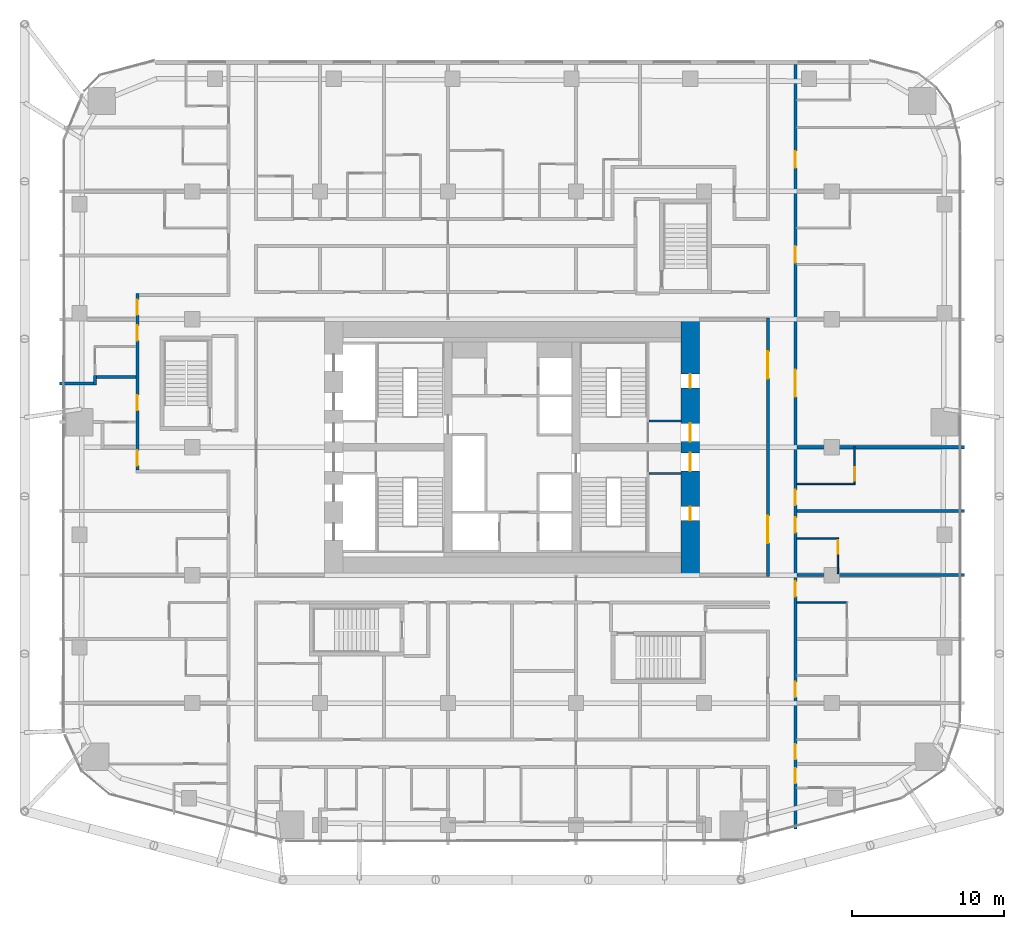
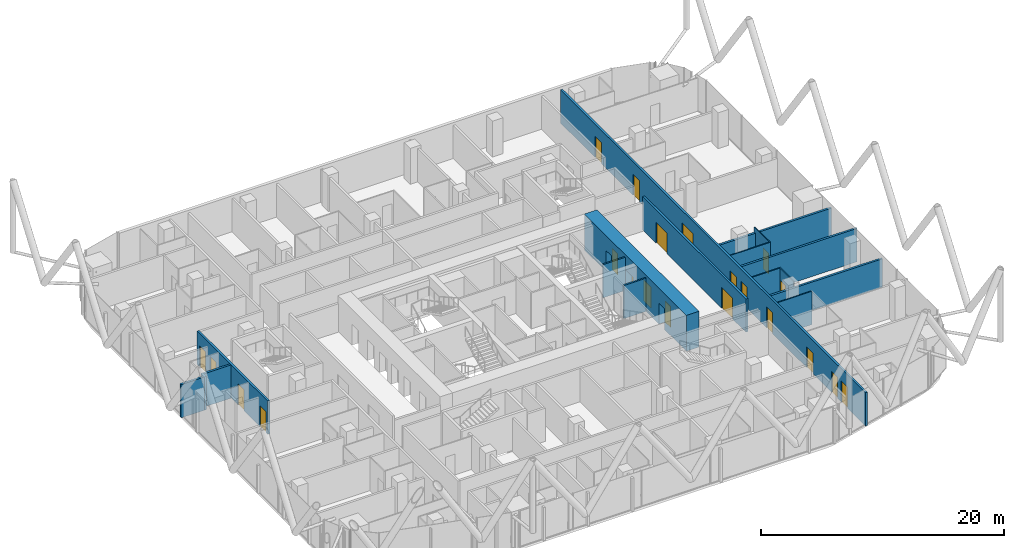
# One storey, part 32 of 38: 21 doors, 17 walls, 21 openings.
"""IFC4 building model written with IfcOpenShell, lengths in metres."""

from ifc_helpers import new_model, si_unit, direction, frame, frame_2d, origin, place, context, subcontext, project, spatial, rectangle, extrude, material, layer, layer_set, type_object, element, fill, save


model = new_model("IFC4")

# Units and contexts
model_context = context("Model", 3, precision=1e-05, world=origin(), true_north=direction((0.0, 1.0)))
body_context = subcontext(model_context, "Body", "Model", "MODEL_VIEW")
ifc_project = project(units=[si_unit("LENGTHUNIT", "METRE"), si_unit("AREAUNIT", "SQUARE_METRE"), si_unit("VOLUMEUNIT", "CUBIC_METRE"), si_unit("PLANEANGLEUNIT", "RADIAN"), si_unit("MASSUNIT", "GRAM", prefix="KILO")], contexts=[model_context])

# Site, building, storey
site_placement = place(None, origin())
site = spatial("IfcSite", under=ifc_project, at=site_placement, CompositionType="ELEMENT")
building_placement = place(site_placement, origin())
building = spatial("IfcBuilding", under=site, at=building_placement, Name="Marenta Gate Hotel Tower", CompositionType="ELEMENT")
storey_placement = place(building_placement, frame((0.0, 0.0, 54.5)))
storey = spatial("IfcBuildingStorey", under=building, at=storey_placement, Name="L11", CompositionType="ELEMENT", Elevation=54.5)

# Wall, openings, doors
ifc_material_1 = material(Name="Concrete blockwork", Category="masonry")
ifc_layer_1 = layer(ifc_material_1, 0.199951171875)
ifc_layer_set_1 = layer_set([ifc_layer_1], Name="Concrete blockwork")
wall_type_1 = type_object("IfcWallType", Name="Core boundary wall 200 REI 180", PredefinedType="PARTITIONING", material=ifc_layer_set_1)
wall_1_placement = place(storey_placement, frame((16.800048828125, -0.10009765625, 0.0), z_axis=(0.0, 0.0, 1.0), x_axis=(0.0, 1.0, 0.0)))
wall_1 = element("IfcWall", 1, at=wall_1_placement, inside=storey, type_object=wall_type_1, Name="L11-CP-BW-E", PredefinedType="PARTITIONING", context=body_context, shape_type="SweptSolid", body=[
    extrude(rectangle(XDim=17.0, YDim=0.199951171875, at=frame_2d((8.5, 0.0))), origin(), (0.0, 0.0, 1.0), 3.340087890625),
])
opening_1_placement = place(wall_1_placement, frame((2.199951171875, 0.0, 0.0)))
opening_1 = element("IfcOpeningElement", 2, at=opening_1_placement, cuts=wall_1, Name="Opening ED-Ea-B", PredefinedType="OPENING", context=body_context, shape_type="SweptSolid", body=[
    extrude(rectangle(XDim=1.800048828125, YDim=2.10009765625, at=frame_2d((0.89990234375, 1.050048828125))), frame((0.0, 0.10009765625, 0.0), z_axis=(0.0, -1.0, 0.0), x_axis=(1.0, 0.0, 0.0)), (0.0, 0.0, 1.0), 0.199951171875),
])
opening_2_placement = place(wall_1_placement, frame((13.0, 0.0, 0.0)))
opening_2 = element("IfcOpeningElement", 3, at=opening_2_placement, cuts=wall_1, Name="Opening ED-Eb-B", PredefinedType="OPENING", context=body_context, shape_type="SweptSolid", body=[
    extrude(rectangle(XDim=1.800048828125, YDim=2.10009765625, at=frame_2d((0.89990234375, 1.050048828125))), frame((0.0, 0.10009765625, 0.0), z_axis=(0.0, -1.0, 0.0), x_axis=(1.0, 0.0, 0.0)), (0.0, 0.0, 1.0), 0.199951171875),
])
ifc_material_2 = material(Name="Steel", Category="steel")
door_type_1 = type_object("IfcDoorType", Name="Core lobby entrance door 1800x2100 EI 60", OperationType="DOUBLE_DOOR_SINGLE_SWING", PredefinedType="DOOR", material=ifc_material_2)
door_1_placement = place(opening_1_placement, origin())
door_1 = element("IfcDoor", 4, at=door_1_placement, inside=storey, type_object=door_type_1, Name="ED-Ea-B", OperationType="DOUBLE_DOOR_SINGLE_SWING", OverallHeight=2.10009765625, OverallWidth=1.800048828125, PredefinedType="DOOR", context=body_context, shape_type="SweptSolid", body=[
    extrude(rectangle(XDim=1.800048828125, YDim=2.10009765625, at=frame_2d((0.89990234375, 1.050048828125))), frame((0.0, 0.02490234375, 0.0), z_axis=(0.0, -1.0, 0.0), x_axis=(1.0, 0.0, 0.0)), (0.0, 0.0, 1.0), 0.050048828125),
])
fill(opening_1, door_1)
door_2_placement = place(opening_2_placement, origin())
door_2 = element("IfcDoor", 5, at=door_2_placement, inside=storey, type_object=door_type_1, Name="ED-Eb-B", OperationType="DOUBLE_DOOR_SINGLE_SWING", OverallHeight=2.10009765625, OverallWidth=1.800048828125, PredefinedType="DOOR", context=body_context, shape_type="SweptSolid", body=[
    extrude(rectangle(XDim=1.800048828125, YDim=2.10009765625, at=frame_2d((0.89990234375, 1.050048828125))), frame((0.0, 0.02490234375, 0.0), z_axis=(0.0, -1.0, 0.0), x_axis=(1.0, 0.0, 0.0)), (0.0, 0.0, 1.0), 0.050048828125),
])
fill(opening_2, door_2)

# Walls
ifc_material_3 = material(Name="Concrete blockwork", Category="masonry")
ifc_layer_2 = layer(ifc_material_3, 0.14990234375)
ifc_layer_set_2 = layer_set([ifc_layer_2], Name="Concrete blockwork")
wall_type_2 = type_object("IfcWallType", Name="Core room partition 150 REI 180", PredefinedType="PARTITIONING", material=ifc_layer_set_2)
for number, where, z_axis, x_axis, name in (
    (6, (9.0, 6.675048828125, 0.0), (0.0, 0.0, 1.0), (1.0, 0.0, 0.0), "L11-CP-SW-ES-2"),
    (7, (9.0, 10.125, 0.0), (0.0, 0.0, 1.0), (1.0, 0.0, 0.0), "L11-CP-SW-EN-2"),
):
    element("IfcWall", number, at=place(storey_placement, frame(where, z_axis=z_axis, x_axis=x_axis)), inside=storey, type_object=wall_type_2, Name=name, PredefinedType="PARTITIONING", context=body_context, shape_type="SweptSolid", body=[
        extrude(rectangle(XDim=2.10009765625, YDim=0.14990234375, at=frame_2d((1.050048828125, 0.0))), origin(), (0.0, 0.0, 1.0), 3.340087890625),
    ])

# Wall, openings, doors
ifc_material_4 = material(Name="Concrete C80", Category="concrete")
ifc_layer_3 = layer(ifc_material_4, 1.199951171875)
ifc_layer_set_3 = layer_set([ifc_layer_3], Name="Concrete C80")
wall_type_3 = type_object("IfcWallType", Name="Core wall 1200 C80", PredefinedType="SHEAR", material=ifc_layer_set_3)
wall_2_placement = place(storey_placement, frame((11.699951171875, 0.0, 0.0), z_axis=(0.0, 0.0, 1.0), x_axis=(0.0, 1.0, 0.0)))
wall_2 = element("IfcWall", 8, at=wall_2_placement, inside=storey, type_object=wall_type_3, Name="L11-CORE-E", PredefinedType="SHEAR", context=body_context, shape_type="SweptSolid", body=[
    extrude(rectangle(XDim=16.800048828125, YDim=1.199951171875, at=frame_2d((8.39990234375, 0.0))), origin(), (0.0, 0.0, 1.0), 3.60009765625),
])
opening_3_placement = place(wall_2_placement, frame((3.60009765625, 0.0, 0.0)))
opening_3 = element("IfcOpeningElement", 9, at=opening_3_placement, cuts=wall_2, Name="Opening RD-ES-1", PredefinedType="OPENING", context=body_context, shape_type="SweptSolid", body=[
    extrude(rectangle(XDim=0.89990234375, YDim=2.10009765625, at=frame_2d((0.449951171875, 1.050048828125))), frame((0.0, 0.60009765625, 0.0), z_axis=(0.0, -1.0, 0.0), x_axis=(1.0, 0.0, 0.0)), (0.0, 0.0, 1.0), 1.199951171875),
])
opening_4_placement = place(wall_2_placement, frame((6.824951171875, 0.0, 0.0)))
opening_4 = element("IfcOpeningElement", 10, at=opening_4_placement, cuts=wall_2, Name="Opening PD-ES", PredefinedType="OPENING", context=body_context, shape_type="SweptSolid", body=[
    extrude(rectangle(XDim=1.199951171875, YDim=2.10009765625, at=frame_2d((0.60009765625, 1.050048828125))), frame((0.0, 0.60009765625, 0.0), z_axis=(0.0, -1.0, 0.0), x_axis=(1.0, 0.0, 0.0)), (0.0, 0.0, 1.0), 1.199951171875),
])
opening_5_placement = place(wall_2_placement, frame((12.300048828125, 0.0, 0.0)))
opening_5 = element("IfcOpeningElement", 11, at=opening_5_placement, cuts=wall_2, Name="Opening RD-EN-1", PredefinedType="OPENING", context=body_context, shape_type="SweptSolid", body=[
    extrude(rectangle(XDim=0.89990234375, YDim=2.10009765625, at=frame_2d((0.449951171875, 1.050048828125))), frame((0.0, 0.60009765625, 0.0), z_axis=(0.0, -1.0, 0.0), x_axis=(1.0, 0.0, 0.0)), (0.0, 0.0, 1.0), 1.199951171875),
])
opening_6_placement = place(wall_2_placement, frame((8.77490234375, 0.0, 0.0)))
opening_6 = element("IfcOpeningElement", 12, at=opening_6_placement, cuts=wall_2, Name="Opening PD-EN", PredefinedType="OPENING", context=body_context, shape_type="SweptSolid", body=[
    extrude(rectangle(XDim=1.199951171875, YDim=2.10009765625, at=frame_2d((0.60009765625, 1.050048828125))), frame((0.0, 0.60009765625, 0.0), z_axis=(0.0, -1.0, 0.0), x_axis=(1.0, 0.0, 0.0)), (0.0, 0.0, 1.0), 1.199951171875),
])
ifc_material_5 = material(Name="Steel", Category="steel")
door_type_2 = type_object("IfcDoorType", Name="Core lobby door 1200x2100 FD60", OperationType="SINGLE_SWING_LEFT", PredefinedType="DOOR", material=ifc_material_5)
door_3_placement = place(opening_4_placement, origin())
door_3 = element("IfcDoor", 13, at=door_3_placement, inside=storey, type_object=door_type_2, Name="PD-ES", OperationType="SINGLE_SWING_LEFT", OverallHeight=2.10009765625, OverallWidth=1.199951171875, PredefinedType="DOOR", context=body_context, shape_type="SweptSolid", body=[
    extrude(rectangle(XDim=1.199951171875, YDim=2.10009765625, at=frame_2d((0.60009765625, 1.050048828125))), frame((0.0, 0.02490234375, 0.0), z_axis=(0.0, -1.0, 0.0), x_axis=(1.0, 0.0, 0.0)), (0.0, 0.0, 1.0), 0.050048828125),
])
fill(opening_4, door_3)
door_4_placement = place(opening_6_placement, origin())
door_4 = element("IfcDoor", 14, at=door_4_placement, inside=storey, type_object=door_type_2, Name="PD-EN", OperationType="SINGLE_SWING_LEFT", OverallHeight=2.10009765625, OverallWidth=1.199951171875, PredefinedType="DOOR", context=body_context, shape_type="SweptSolid", body=[
    extrude(rectangle(XDim=1.199951171875, YDim=2.10009765625, at=frame_2d((0.60009765625, 1.050048828125))), frame((0.0, 0.02490234375, 0.0), z_axis=(0.0, -1.0, 0.0), x_axis=(1.0, 0.0, 0.0)), (0.0, 0.0, 1.0), 0.050048828125),
])
fill(opening_6, door_4)
ifc_material_6 = material(Name="Steel", Category="steel")
door_type_3 = type_object("IfcDoorType", Name="Core service room door 900x2100 FD30S", OperationType="SINGLE_SWING_LEFT", PredefinedType="DOOR", material=ifc_material_6)
door_5_placement = place(opening_3_placement, origin())
door_5 = element("IfcDoor", 15, at=door_5_placement, inside=storey, type_object=door_type_3, Name="RD-ES-1", OperationType="SINGLE_SWING_LEFT", OverallHeight=2.10009765625, OverallWidth=0.89990234375, PredefinedType="DOOR", context=body_context, shape_type="SweptSolid", body=[
    extrude(rectangle(XDim=0.89990234375, YDim=2.10009765625, at=frame_2d((0.449951171875, 1.050048828125))), frame((0.0, 0.02490234375, 0.0), z_axis=(0.0, -1.0, 0.0), x_axis=(1.0, 0.0, 0.0)), (0.0, 0.0, 1.0), 0.050048828125),
])
fill(opening_3, door_5)
door_6_placement = place(opening_5_placement, origin())
door_6 = element("IfcDoor", 16, at=door_6_placement, inside=storey, type_object=door_type_3, Name="RD-EN-1", OperationType="SINGLE_SWING_LEFT", OverallHeight=2.10009765625, OverallWidth=0.89990234375, PredefinedType="DOOR", context=body_context, shape_type="SweptSolid", body=[
    extrude(rectangle(XDim=0.89990234375, YDim=2.10009765625, at=frame_2d((0.449951171875, 1.050048828125))), frame((0.0, 0.02490234375, 0.0), z_axis=(0.0, -1.0, 0.0), x_axis=(1.0, 0.0, 0.0)), (0.0, 0.0, 1.0), 0.050048828125),
])
fill(opening_5, door_6)

ifc_material_7 = material(Name="Gypsum board on steel stud", Category="steel")
ifc_layer_4 = layer(ifc_material_7, 0.199951171875)
ifc_layer_set_4 = layer_set([ifc_layer_4], Name="Gypsum board on steel stud")
wall_type_4 = type_object("IfcWallType", Name="Room corridor wall 200 EI 60", PredefinedType="PARTITIONING", material=ifc_layer_set_4)
wall_3_placement = place(storey_placement, frame((18.60009765625, -16.6650390625, 0.0), z_axis=(0.0, 0.0, 1.0), x_axis=(0.0, 1.0, 0.0)))
wall_3 = element("IfcWall", 17, at=wall_3_placement, inside=storey, type_object=wall_type_4, Name="L11-PTN-W009", PredefinedType="PARTITIONING", context=body_context, shape_type="SweptSolid", body=[
    extrude(rectangle(XDim=50.205078125, YDim=0.199951171875, at=frame_2d((25.1025390625, 0.0))), origin(), (0.0, 0.0, 1.0), 3.340087890625),
])
opening_7_placement = place(wall_3_placement, frame((2.990966796875, 0.0, 0.0)))
opening_7 = element("IfcOpeningElement", 18, at=opening_7_placement, cuts=wall_3, Name="Opening G04-10", PredefinedType="OPENING", context=body_context, shape_type="SweptSolid", body=[
    extrude(rectangle(XDim=1.0, YDim=2.10009765625, at=frame_2d((0.5, 1.050048828125))), frame((0.0, 0.10009765625, 0.0), z_axis=(0.0, -1.0, 0.0), x_axis=(1.0, 0.0, 0.0)), (0.0, 0.0, 1.0), 0.199951171875),
])
opening_8_placement = place(wall_3_placement, frame((4.573974609375, 0.0, 0.0)))
opening_8 = element("IfcOpeningElement", 19, at=opening_8_placement, cuts=wall_3, Name="Opening G04-12", PredefinedType="OPENING", context=body_context, shape_type="SweptSolid", body=[
    extrude(rectangle(XDim=1.0, YDim=2.10009765625, at=frame_2d((0.5, 1.050048828125))), frame((0.0, 0.10009765625, 0.0), z_axis=(0.0, -1.0, 0.0), x_axis=(1.0, 0.0, 0.0)), (0.0, 0.0, 1.0), 0.199951171875),
])
opening_9_placement = place(wall_3_placement, frame((8.6650390625, 0.0, 0.0)))
opening_9 = element("IfcOpeningElement", 20, at=opening_9_placement, cuts=wall_3, Name="Opening G04-14", PredefinedType="OPENING", context=body_context, shape_type="SweptSolid", body=[
    extrude(rectangle(XDim=1.0, YDim=2.10009765625, at=frame_2d((0.5, 1.050048828125))), frame((0.0, 0.10009765625, 0.0), z_axis=(0.0, -1.0, 0.0), x_axis=(1.0, 0.0, 0.0)), (0.0, 0.0, 1.0), 0.199951171875),
])
opening_10_placement = place(wall_3_placement, frame((15.264892578125, 0.0, 0.0)))
opening_10 = element("IfcOpeningElement", 21, at=opening_10_placement, cuts=wall_3, Name="Opening G04-16", PredefinedType="OPENING", context=body_context, shape_type="SweptSolid", body=[
    extrude(rectangle(XDim=1.0, YDim=2.10009765625, at=frame_2d((0.5, 1.050048828125))), frame((0.0, 0.10009765625, 0.0), z_axis=(0.0, -1.0, 0.0), x_axis=(1.0, 0.0, 0.0)), (0.0, 0.0, 1.0), 0.199951171875),
])
opening_11_placement = place(wall_3_placement, frame((19.465087890625, 0.0, 0.0)))
opening_11 = element("IfcOpeningElement", 22, at=opening_11_placement, cuts=wall_3, Name="Opening G04-18", PredefinedType="OPENING", context=body_context, shape_type="SweptSolid", body=[
    extrude(rectangle(XDim=1.0, YDim=2.10009765625, at=frame_2d((0.5, 1.050048828125))), frame((0.0, 0.10009765625, 0.0), z_axis=(0.0, -1.0, 0.0), x_axis=(1.0, 0.0, 0.0)), (0.0, 0.0, 1.0), 0.199951171875),
])
opening_12_placement = place(wall_3_placement, frame((21.264892578125, 0.0, 0.0)))
opening_12 = element("IfcOpeningElement", 23, at=opening_12_placement, cuts=wall_3, Name="Opening G04-20", PredefinedType="OPENING", context=body_context, shape_type="SweptSolid", body=[
    extrude(rectangle(XDim=1.0, YDim=2.10009765625, at=frame_2d((0.5, 1.050048828125))), frame((0.0, 0.10009765625, 0.0), z_axis=(0.0, -1.0, 0.0), x_axis=(1.0, 0.0, 0.0)), (0.0, 0.0, 1.0), 0.199951171875),
])
opening_13_placement = place(wall_3_placement, frame((28.364990234375, 0.0, 0.0)))
opening_13 = element("IfcOpeningElement", 24, at=opening_13_placement, cuts=wall_3, Name="Opening G04-22", PredefinedType="OPENING", context=body_context, shape_type="SweptSolid", body=[
    extrude(rectangle(XDim=1.800048828125, YDim=2.10009765625, at=frame_2d((0.89990234375, 1.050048828125))), frame((0.0, 0.10009765625, 0.0), z_axis=(0.0, -1.0, 0.0), x_axis=(1.0, 0.0, 0.0)), (0.0, 0.0, 1.0), 0.199951171875),
])
opening_14_placement = place(wall_3_placement, frame((37.1650390625, 0.0, 0.0)))
opening_14 = element("IfcOpeningElement", 25, at=opening_14_placement, cuts=wall_3, Name="Opening G04-23", PredefinedType="OPENING", context=body_context, shape_type="SweptSolid", body=[
    extrude(rectangle(XDim=1.10009765625, YDim=2.10009765625, at=frame_2d((0.550048828125, 1.050048828125))), frame((0.0, 0.10009765625, 0.0), z_axis=(0.0, -1.0, 0.0), x_axis=(1.0, 0.0, 0.0)), (0.0, 0.0, 1.0), 0.199951171875),
])
opening_15_placement = place(wall_3_placement, frame((43.4150390625, 0.0, 0.0)))
opening_15 = element("IfcOpeningElement", 26, at=opening_15_placement, cuts=wall_3, Name="Opening G04-26", PredefinedType="OPENING", context=body_context, shape_type="SweptSolid", body=[
    extrude(rectangle(XDim=1.10009765625, YDim=2.10009765625, at=frame_2d((0.550048828125, 1.050048828125))), frame((0.0, 0.10009765625, 0.0), z_axis=(0.0, -1.0, 0.0), x_axis=(1.0, 0.0, 0.0)), (0.0, 0.0, 1.0), 0.199951171875),
])
ifc_material_8 = material(Name="Timber door leaf", Category="wood")
door_type_4 = type_object("IfcDoorType", Name="Guest room door 1000x2100 EI 30", OperationType="NOTDEFINED", PredefinedType="DOOR", material=ifc_material_8)
door_7_placement = place(opening_7_placement, origin())
door_7 = element("IfcDoor", 27, at=door_7_placement, inside=storey, type_object=door_type_4, Name="L11-PD-D010", OperationType="SINGLE_SWING_RIGHT", OverallHeight=2.10009765625, OverallWidth=1.0, PredefinedType="DOOR", context=body_context, shape_type="SweptSolid", body=[
    extrude(rectangle(XDim=1.0, YDim=2.10009765625, at=frame_2d((0.5, 1.050048828125))), frame((0.0, 0.02490234375, 0.0), z_axis=(0.0, -1.0, 0.0), x_axis=(1.0, 0.0, 0.0)), (0.0, 0.0, 1.0), 0.050048828125),
])
fill(opening_7, door_7)
door_8_placement = place(opening_8_placement, origin())
door_8 = element("IfcDoor", 28, at=door_8_placement, inside=storey, type_object=door_type_4, Name="L11-PD-D012", OperationType="SINGLE_SWING_RIGHT", OverallHeight=2.10009765625, OverallWidth=1.0, PredefinedType="DOOR", context=body_context, shape_type="SweptSolid", body=[
    extrude(rectangle(XDim=1.0, YDim=2.10009765625, at=frame_2d((0.5, 1.050048828125))), frame((0.0, 0.02490234375, 0.0), z_axis=(0.0, -1.0, 0.0), x_axis=(1.0, 0.0, 0.0)), (0.0, 0.0, 1.0), 0.050048828125),
])
fill(opening_8, door_8)
door_9_placement = place(opening_9_placement, origin())
door_9 = element("IfcDoor", 29, at=door_9_placement, inside=storey, type_object=door_type_4, Name="L11-PD-D014", OperationType="SINGLE_SWING_RIGHT", OverallHeight=2.10009765625, OverallWidth=1.0, PredefinedType="DOOR", context=body_context, shape_type="SweptSolid", body=[
    extrude(rectangle(XDim=1.0, YDim=2.10009765625, at=frame_2d((0.5, 1.050048828125))), frame((0.0, 0.02490234375, 0.0), z_axis=(0.0, -1.0, 0.0), x_axis=(1.0, 0.0, 0.0)), (0.0, 0.0, 1.0), 0.050048828125),
])
fill(opening_9, door_9)
door_10_placement = place(opening_10_placement, origin())
door_10 = element("IfcDoor", 30, at=door_10_placement, inside=storey, type_object=door_type_4, Name="L11-PD-D016", OperationType="SINGLE_SWING_RIGHT", OverallHeight=2.10009765625, OverallWidth=1.0, PredefinedType="DOOR", context=body_context, shape_type="SweptSolid", body=[
    extrude(rectangle(XDim=1.0, YDim=2.10009765625, at=frame_2d((0.5, 1.050048828125))), frame((0.0, 0.02490234375, 0.0), z_axis=(0.0, -1.0, 0.0), x_axis=(1.0, 0.0, 0.0)), (0.0, 0.0, 1.0), 0.050048828125),
])
fill(opening_10, door_10)
door_11_placement = place(opening_11_placement, origin())
door_11 = element("IfcDoor", 31, at=door_11_placement, inside=storey, type_object=door_type_4, Name="L11-PD-D018", OperationType="SINGLE_SWING_RIGHT", OverallHeight=2.10009765625, OverallWidth=1.0, PredefinedType="DOOR", context=body_context, shape_type="SweptSolid", body=[
    extrude(rectangle(XDim=1.0, YDim=2.10009765625, at=frame_2d((0.5, 1.050048828125))), frame((0.0, 0.02490234375, 0.0), z_axis=(0.0, -1.0, 0.0), x_axis=(1.0, 0.0, 0.0)), (0.0, 0.0, 1.0), 0.050048828125),
])
fill(opening_11, door_11)
door_12_placement = place(opening_12_placement, origin())
door_12 = element("IfcDoor", 32, at=door_12_placement, inside=storey, type_object=door_type_4, Name="L11-PD-D020", OperationType="SINGLE_SWING_RIGHT", OverallHeight=2.10009765625, OverallWidth=1.0, PredefinedType="DOOR", context=body_context, shape_type="SweptSolid", body=[
    extrude(rectangle(XDim=1.0, YDim=2.10009765625, at=frame_2d((0.5, 1.050048828125))), frame((0.0, 0.02490234375, 0.0), z_axis=(0.0, -1.0, 0.0), x_axis=(1.0, 0.0, 0.0)), (0.0, 0.0, 1.0), 0.050048828125),
])
fill(opening_12, door_12)
ifc_material_9 = material(Name="Timber door leaf", Category="wood")
door_type_5 = type_object("IfcDoorType", Name="Guest room door 1100x2100 EI 30", OperationType="NOTDEFINED", PredefinedType="DOOR", material=ifc_material_9)
door_13_placement = place(opening_14_placement, origin())
door_13 = element("IfcDoor", 33, at=door_13_placement, inside=storey, type_object=door_type_5, Name="L11-PD-D023", OperationType="SINGLE_SWING_RIGHT", OverallHeight=2.10009765625, OverallWidth=1.10009765625, PredefinedType="DOOR", context=body_context, shape_type="SweptSolid", body=[
    extrude(rectangle(XDim=1.10009765625, YDim=2.10009765625, at=frame_2d((0.550048828125, 1.050048828125))), frame((0.0, 0.02490234375, 0.0), z_axis=(0.0, -1.0, 0.0), x_axis=(1.0, 0.0, 0.0)), (0.0, 0.0, 1.0), 0.050048828125),
])
fill(opening_14, door_13)
door_14_placement = place(opening_15_placement, origin())
door_14 = element("IfcDoor", 34, at=door_14_placement, inside=storey, type_object=door_type_5, Name="L11-PD-D026", OperationType="SINGLE_SWING_RIGHT", OverallHeight=2.10009765625, OverallWidth=1.10009765625, PredefinedType="DOOR", context=body_context, shape_type="SweptSolid", body=[
    extrude(rectangle(XDim=1.10009765625, YDim=2.10009765625, at=frame_2d((0.550048828125, 1.050048828125))), frame((0.0, 0.02490234375, 0.0), z_axis=(0.0, -1.0, 0.0), x_axis=(1.0, 0.0, 0.0)), (0.0, 0.0, 1.0), 0.050048828125),
])
fill(opening_15, door_14)
ifc_material_10 = material(Name="Timber door leaf", Category="wood")
door_type_6 = type_object("IfcDoorType", Name="Room amenity door 1800x2100 EI 30", OperationType="DOUBLE_DOOR_SINGLE_SWING", PredefinedType="DOOR", material=ifc_material_10)
door_15_placement = place(opening_13_placement, origin())
door_15 = element("IfcDoor", 35, at=door_15_placement, inside=storey, type_object=door_type_6, Name="L11-PD-D022", OperationType="DOUBLE_DOOR_SINGLE_SWING", OverallHeight=2.10009765625, OverallWidth=1.800048828125, PredefinedType="DOOR", context=body_context, shape_type="SweptSolid", body=[
    extrude(rectangle(XDim=1.800048828125, YDim=2.10009765625, at=frame_2d((0.89990234375, 1.050048828125))), frame((0.0, 0.02490234375, 0.0), z_axis=(0.0, -1.0, 0.0), x_axis=(1.0, 0.0, 0.0)), (0.0, 0.0, 1.0), 0.050048828125),
])
fill(opening_13, door_15)

wall_4_placement = place(storey_placement, frame((-24.60009765625, 6.89990234375, 0.0), z_axis=(0.0, 0.0, 1.0), x_axis=(0.0, 1.0, 0.0)))
wall_4 = element("IfcWall", 36, at=wall_4_placement, inside=storey, type_object=wall_type_4, Name="L11-PTN-W137", PredefinedType="PARTITIONING", context=body_context, shape_type="SweptSolid", body=[
    extrude(rectangle(XDim=11.60009765625, YDim=0.199951171875, at=frame_2d((5.800048828125, 0.0))), origin(), (0.0, 0.0, 1.0), 3.340087890625),
])
opening_16_placement = place(wall_4_placement, frame((8.5, 0.0, 0.0)))
opening_16 = element("IfcOpeningElement", 37, at=opening_16_placement, cuts=wall_4, Name="Opening G04-59", PredefinedType="OPENING", context=body_context, shape_type="SweptSolid", body=[
    extrude(rectangle(XDim=1.0, YDim=2.10009765625, at=frame_2d((0.5, 1.050048828125))), frame((0.0, 0.10009765625, 0.0), z_axis=(0.0, -1.0, 0.0), x_axis=(1.0, 0.0, 0.0)), (0.0, 0.0, 1.0), 0.199951171875),
])
opening_17_placement = place(wall_4_placement, frame((10.199951171875, 0.0, 0.0)))
opening_17 = element("IfcOpeningElement", 38, at=opening_17_placement, cuts=wall_4, Name="Opening G04-73", PredefinedType="OPENING", context=body_context, shape_type="SweptSolid", body=[
    extrude(rectangle(XDim=1.0, YDim=2.10009765625, at=frame_2d((0.5, 1.050048828125))), frame((0.0, 0.10009765625, 0.0), z_axis=(0.0, -1.0, 0.0), x_axis=(1.0, 0.0, 0.0)), (0.0, 0.0, 1.0), 0.199951171875),
])
opening_18_placement = place(wall_4_placement, frame((0.300048828125, 0.0, 0.0)))
opening_18 = element("IfcOpeningElement", 39, at=opening_18_placement, cuts=wall_4, Name="Opening G04-74", PredefinedType="OPENING", context=body_context, shape_type="SweptSolid", body=[
    extrude(rectangle(XDim=1.0, YDim=2.10009765625, at=frame_2d((0.5, 1.050048828125))), frame((0.0, 0.10009765625, 0.0), z_axis=(0.0, -1.0, 0.0), x_axis=(1.0, 0.0, 0.0)), (0.0, 0.0, 1.0), 0.199951171875),
])
opening_19_placement = place(wall_4_placement, frame((3.925048828125, 0.0, 0.0)))
opening_19 = element("IfcOpeningElement", 40, at=opening_19_placement, cuts=wall_4, Name="Opening G04-86", PredefinedType="OPENING", context=body_context, shape_type="SweptSolid", body=[
    extrude(rectangle(XDim=1.0, YDim=2.10009765625, at=frame_2d((0.5, 1.050048828125))), frame((0.0, 0.10009765625, 0.0), z_axis=(0.0, -1.0, 0.0), x_axis=(1.0, 0.0, 0.0)), (0.0, 0.0, 1.0), 0.199951171875),
])
door_16_placement = place(opening_16_placement, origin())
door_16 = element("IfcDoor", 41, at=door_16_placement, inside=storey, type_object=door_type_4, Name="L11-PD-D059", OperationType="SINGLE_SWING_RIGHT", OverallHeight=2.10009765625, OverallWidth=1.0, PredefinedType="DOOR", context=body_context, shape_type="SweptSolid", body=[
    extrude(rectangle(XDim=1.0, YDim=2.10009765625, at=frame_2d((0.5, 1.050048828125))), frame((0.0, 0.02490234375, 0.0), z_axis=(0.0, -1.0, 0.0), x_axis=(1.0, 0.0, 0.0)), (0.0, 0.0, 1.0), 0.050048828125),
])
fill(opening_16, door_16)
door_17_placement = place(opening_19_placement, origin())
door_17 = element("IfcDoor", 42, at=door_17_placement, inside=storey, type_object=door_type_4, Name="L11-PD-D086", OperationType="SINGLE_SWING_LEFT", OverallHeight=2.10009765625, OverallWidth=1.0, PredefinedType="DOOR", context=body_context, shape_type="SweptSolid", body=[
    extrude(rectangle(XDim=1.0, YDim=2.10009765625, at=frame_2d((0.5, 1.050048828125))), frame((0.0, 0.02490234375, 0.0), z_axis=(0.0, -1.0, 0.0), x_axis=(1.0, 0.0, 0.0)), (0.0, 0.0, 1.0), 0.050048828125),
])
fill(opening_19, door_17)
ifc_material_11 = material(Name="Timber door leaf", Category="wood")
door_type_7 = type_object("IfcDoorType", Name="Room amenity door 1000x2100 EI 30", OperationType="NOTDEFINED", PredefinedType="DOOR", material=ifc_material_11)
door_18_placement = place(opening_17_placement, origin())
door_18 = element("IfcDoor", 43, at=door_18_placement, inside=storey, type_object=door_type_7, Name="L11-PD-D073", OperationType="SINGLE_SWING_LEFT", OverallHeight=2.10009765625, OverallWidth=1.0, PredefinedType="DOOR", context=body_context, shape_type="SweptSolid", body=[
    extrude(rectangle(XDim=1.0, YDim=2.10009765625, at=frame_2d((0.5, 1.050048828125))), frame((0.0, 0.02490234375, 0.0), z_axis=(0.0, -1.0, 0.0), x_axis=(1.0, 0.0, 0.0)), (0.0, 0.0, 1.0), 0.050048828125),
])
fill(opening_17, door_18)
door_19_placement = place(opening_18_placement, origin())
door_19 = element("IfcDoor", 44, at=door_19_placement, inside=storey, type_object=door_type_7, Name="L11-PD-D074", OperationType="SINGLE_SWING_LEFT", OverallHeight=2.10009765625, OverallWidth=1.0, PredefinedType="DOOR", context=body_context, shape_type="SweptSolid", body=[
    extrude(rectangle(XDim=1.0, YDim=2.10009765625, at=frame_2d((0.5, 1.050048828125))), frame((0.0, 0.02490234375, 0.0), z_axis=(0.0, -1.0, 0.0), x_axis=(1.0, 0.0, 0.0)), (0.0, 0.0, 1.0), 0.050048828125),
])
fill(opening_18, door_19)

# Wall, opening, door
ifc_material_12 = material(Name="Gypsum board on steel stud", Category="steel")
ifc_layer_5 = layer(ifc_material_12, 0.10009765625)
ifc_layer_set_5 = layer_set([ifc_layer_5], Name="Gypsum board on steel stud")
wall_type_5 = type_object("IfcWallType", Name="Room partition 100", PredefinedType="PARTITIONING", material=ifc_layer_set_5)
wall_5_placement = place(storey_placement, frame((22.5, 6.050048828125, 0.0), z_axis=(0.0, 0.0, 1.0), x_axis=(0.0, 1.0, 0.0)))
wall_5 = element("IfcWall", 45, at=wall_5_placement, inside=storey, type_object=wall_type_5, Name="L11-PTN-W004", PredefinedType="PARTITIONING", context=body_context, shape_type="SweptSolid", body=[
    extrude(rectangle(XDim=2.449951171875, YDim=0.10009765625, at=frame_2d((1.22509765625, 0.0))), origin(), (0.0, 0.0, 1.0), 3.340087890625),
])
opening_20_placement = place(wall_5_placement, frame((0.14990234375, 0.0, 0.0)))
opening_20 = element("IfcOpeningElement", 46, at=opening_20_placement, cuts=wall_5, Name="Opening G04-21", PredefinedType="OPENING", context=body_context, shape_type="SweptSolid", body=[
    extrude(rectangle(XDim=0.89990234375, YDim=2.10009765625, at=frame_2d((0.449951171875, 1.050048828125))), frame((0.0, 0.050048828125, 0.0), z_axis=(0.0, -1.0, 0.0), x_axis=(1.0, 0.0, 0.0)), (0.0, 0.0, 1.0), 0.10009765625),
])
ifc_material_13 = material(Name="Timber door leaf", Category="wood")
door_type_8 = type_object("IfcDoorType", Name="Guest bathroom door 900x2100", OperationType="NOTDEFINED", PredefinedType="DOOR", material=ifc_material_13)
door_20_placement = place(opening_20_placement, origin())
door_20 = element("IfcDoor", 47, at=door_20_placement, inside=storey, type_object=door_type_8, Name="L11-PD-D021", OperationType="SINGLE_SWING_LEFT", OverallHeight=2.10009765625, OverallWidth=0.89990234375, PredefinedType="DOOR", context=body_context, shape_type="SweptSolid", body=[
    extrude(rectangle(XDim=0.89990234375, YDim=2.10009765625, at=frame_2d((0.449951171875, 1.050048828125))), frame((0.0, 0.02490234375, 0.0), z_axis=(0.0, -1.0, 0.0), x_axis=(1.0, 0.0, 0.0)), (0.0, 0.0, 1.0), 0.050048828125),
])
fill(opening_20, door_20)

wall_6_placement = place(storey_placement, frame((21.39990234375, 0.10009765625, 0.0), z_axis=(0.0, 0.0, 1.0), x_axis=(0.0, 1.0, 0.0)))
wall_6 = element("IfcWall", 48, at=wall_6_placement, inside=storey, type_object=wall_type_5, Name="L11-PTN-W008", PredefinedType="PARTITIONING", context=body_context, shape_type="SweptSolid", body=[
    extrude(rectangle(XDim=2.349853515625, YDim=0.10009765625, at=frame_2d((1.1748046875, 0.0))), origin(), (0.0, 0.0, 1.0), 3.340087890625),
])
opening_21_placement = place(wall_6_placement, frame((1.300048828125, 0.0, 0.0)))
opening_21 = element("IfcOpeningElement", 49, at=opening_21_placement, cuts=wall_6, Name="Opening G04-19", PredefinedType="OPENING", context=body_context, shape_type="SweptSolid", body=[
    extrude(rectangle(XDim=0.89990234375, YDim=2.10009765625, at=frame_2d((0.449951171875, 1.050048828125))), frame((0.0, 0.050048828125, 0.0), z_axis=(0.0, -1.0, 0.0), x_axis=(1.0, 0.0, 0.0)), (0.0, 0.0, 1.0), 0.10009765625),
])
door_21_placement = place(opening_21_placement, origin())
door_21 = element("IfcDoor", 50, at=door_21_placement, inside=storey, type_object=door_type_8, Name="L11-PD-D019", OperationType="SINGLE_SWING_RIGHT", OverallHeight=2.10009765625, OverallWidth=0.89990234375, PredefinedType="DOOR", context=body_context, shape_type="SweptSolid", body=[
    extrude(rectangle(XDim=0.89990234375, YDim=2.10009765625, at=frame_2d((0.449951171875, 1.050048828125))), frame((0.0, 0.02490234375, 0.0), z_axis=(0.0, -1.0, 0.0), x_axis=(1.0, 0.0, 0.0)), (0.0, 0.0, 1.0), 0.050048828125),
])
fill(opening_21, door_21)

# Walls
wall_7_placement = place(storey_placement, frame((18.699951171875, -1.800048828125, 0.0), z_axis=(0.0, 0.0, 1.0), x_axis=(1.0, 0.0, 0.0)))
element("IfcWall", 51, at=wall_7_placement, inside=storey, type_object=wall_type_5, Name="L11-PTN-W062", PredefinedType="PARTITIONING", context=body_context, shape_type="SweptSolid", body=[
    extrude(rectangle(XDim=3.25, YDim=0.10009765625, at=frame_2d((1.625, 0.0))), origin(), (0.0, 0.0, 1.0), 3.340087890625),
])
wall_8_placement = place(storey_placement, frame((18.699951171875, 2.39990234375, 0.0), z_axis=(0.0, 0.0, 1.0), x_axis=(1.0, 0.0, 0.0)))
element("IfcWall", 52, at=wall_8_placement, inside=storey, type_object=wall_type_5, Name="L11-PTN-W074", PredefinedType="PARTITIONING", context=body_context, shape_type="SweptSolid", body=[
    extrude(rectangle(XDim=2.650146484375, YDim=0.10009765625, at=frame_2d((1.3251953125, 0.0))), origin(), (0.0, 0.0, 1.0), 3.340087890625),
])
wall_9_placement = place(storey_placement, frame((18.699951171875, 6.0, 0.0), z_axis=(0.0, 0.0, 1.0), x_axis=(1.0, 0.0, 0.0)))
element("IfcWall", 53, at=wall_9_placement, inside=storey, type_object=wall_type_5, Name="L11-PTN-W083", PredefinedType="PARTITIONING", context=body_context, shape_type="SweptSolid", body=[
    extrude(rectangle(XDim=3.85009765625, YDim=0.10009765625, at=frame_2d((1.925048828125, 0.0))), origin(), (0.0, 0.0, 1.0), 3.340087890625),
])
ifc_material_14 = material(Name="Gypsum board on steel stud", Category="steel")
ifc_layer_6 = layer(ifc_material_14, 0.199951171875)
ifc_layer_set_6 = layer_set([ifc_layer_6], Name="Gypsum board on steel stud")
wall_type_6 = type_object("IfcWallType", Name="Room party wall 200 EI 60", PredefinedType="PARTITIONING", material=ifc_layer_set_6)
wall_10_placement = place(storey_placement, frame((18.699951171875, 0.0, 0.0), z_axis=(0.0, 0.0, 1.0), x_axis=(1.0, 0.0, 0.0)))
element("IfcWall", 54, at=wall_10_placement, inside=storey, type_object=wall_type_6, Name="L11-PTN-W070", PredefinedType="PARTITIONING", context=body_context, shape_type="SweptSolid", body=[
    extrude(rectangle(XDim=11.0, YDim=0.199951171875, at=frame_2d((5.5, 0.0))), origin(), (0.0, 0.0, 1.0), 2.840087890625),
])
wall_11_placement = place(storey_placement, frame((18.699951171875, 4.199951171875, 0.0), z_axis=(0.0, 0.0, 1.0), x_axis=(1.0, 0.0, 0.0)))
element("IfcWall", 55, at=wall_11_placement, inside=storey, type_object=wall_type_6, Name="L11-PTN-W080", PredefinedType="PARTITIONING", context=body_context, shape_type="SweptSolid", body=[
    extrude(rectangle(XDim=11.0, YDim=0.199951171875, at=frame_2d((5.5, 0.0))), origin(), (0.0, 0.0, 1.0), 3.340087890625),
])
wall_12_placement = place(storey_placement, frame((18.699951171875, 8.39990234375, 0.0), z_axis=(0.0, 0.0, 1.0), x_axis=(1.0, 0.0, 0.0)))
element("IfcWall", 56, at=wall_12_placement, inside=storey, type_object=wall_type_6, Name="L11-PTN-W091", PredefinedType="PARTITIONING", context=body_context, shape_type="SweptSolid", body=[
    extrude(rectangle(XDim=11.0, YDim=0.199951171875, at=frame_2d((5.5, 0.0))), origin(), (0.0, 0.0, 1.0), 2.840087890625),
])
wall_13_placement = place(storey_placement, frame((-29.699951171875, 12.60009765625, 0.0), z_axis=(0.0, 0.0, 1.0), x_axis=(1.0, 0.0, 0.0)))
element("IfcWall", 57, at=wall_13_placement, inside=storey, type_object=wall_type_6, Name="L11-PTN-W102", PredefinedType="PARTITIONING", context=body_context, shape_type="SweptSolid", body=[
    extrude(rectangle(XDim=2.224853515625, YDim=0.199951171875, at=frame_2d((1.1123046875, 0.0))), origin(), (0.0, 0.0, 1.0), 3.340087890625),
])
wall_14_placement = place(storey_placement, frame((-27.27490234375, 13.0, 0.0), z_axis=(0.0, 0.0, 1.0), x_axis=(1.0, 0.0, 0.0)))
element("IfcWall", 58, at=wall_14_placement, inside=storey, type_object=wall_type_6, Name="L11-PTN-W103", PredefinedType="PARTITIONING", context=body_context, shape_type="SweptSolid", body=[
    extrude(rectangle(XDim=2.574951171875, YDim=0.199951171875, at=frame_2d((1.28759765625, 0.0))), origin(), (0.0, 0.0, 1.0), 3.340087890625),
])
wall_15_placement = place(storey_placement, frame((-27.375, 12.5, 0.0), z_axis=(0.0, 0.0, 1.0), x_axis=(0.0, 1.0, 0.0)))
element("IfcWall", 59, at=wall_15_placement, inside=storey, type_object=wall_type_6, Name="L11-PTN-W148", PredefinedType="PARTITIONING", context=body_context, shape_type="SweptSolid", body=[
    extrude(rectangle(XDim=0.60009765625, YDim=0.199951171875, at=frame_2d((0.300048828125, 0.0))), origin(), (0.0, 0.0, 1.0), 3.340087890625),
])

save(model, "model.ifc")
